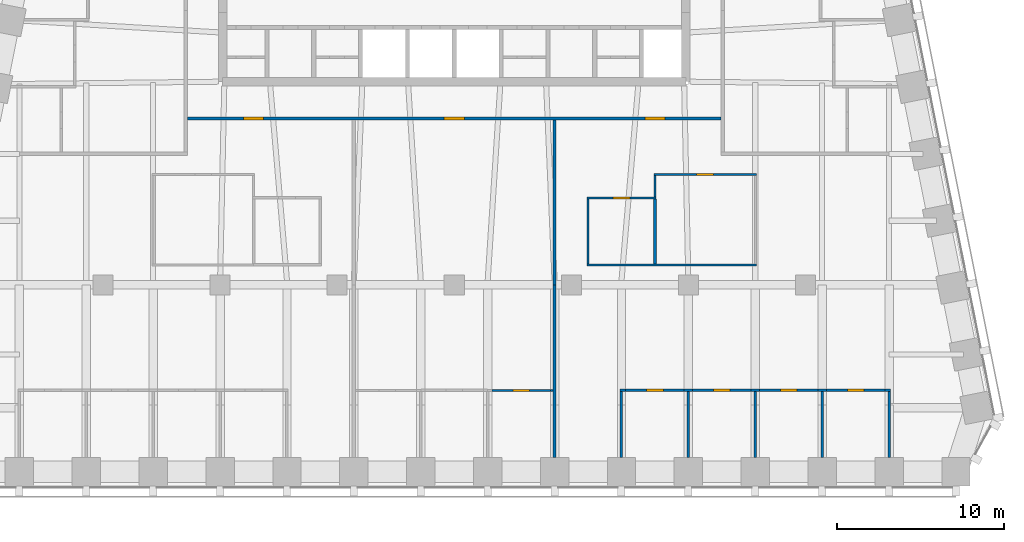
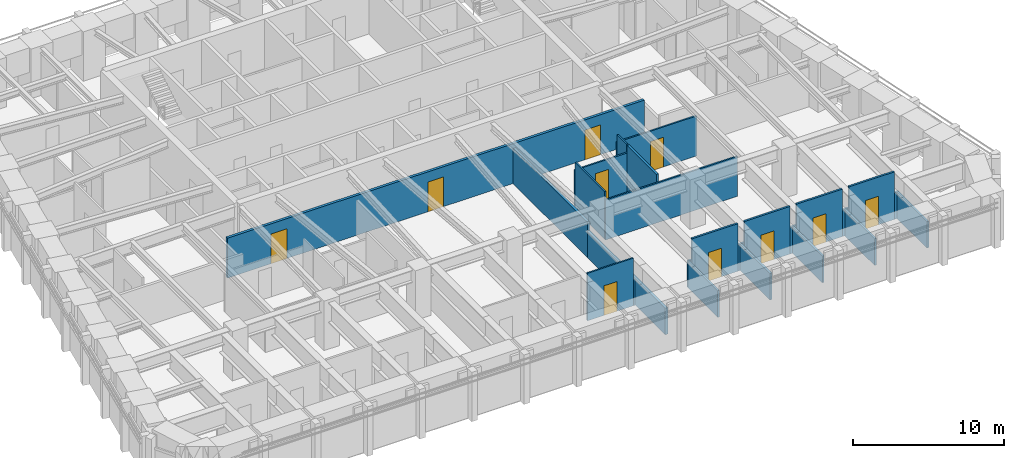
# One storey, part 7 of 12: 25 walls, 10 doors, 10 openings.
"""IFC4 building model written with IfcOpenShell, lengths in metres."""

from ifc_helpers import new_model, si_unit, direction, frame, frame_2d, origin, place, context, subcontext, project, spatial, rectangle, extrude, material, layer, layer_set, type_object, element, fill, save


model = new_model("IFC4")

# Units and contexts
model_context = context("Model", 3, precision=1e-05, world=origin(), true_north=direction((0.0, 1.0)))
body_context = subcontext(model_context, "Body", "Model", "MODEL_VIEW")
ifc_project = project(units=[si_unit("LENGTHUNIT", "METRE"), si_unit("AREAUNIT", "SQUARE_METRE"), si_unit("VOLUMEUNIT", "CUBIC_METRE"), si_unit("PLANEANGLEUNIT", "RADIAN"), si_unit("MASSUNIT", "GRAM", prefix="KILO")], contexts=[model_context])

# Site, building, storey
site_placement = place(None, origin())
site = spatial("IfcSite", under=ifc_project, at=site_placement, CompositionType="ELEMENT")
building_placement = place(site_placement, origin())
building = spatial("IfcBuilding", under=site, at=building_placement, Name="Isbrekke Arena Tower", CompositionType="ELEMENT")
storey_placement = place(building_placement, frame((0.0, 0.0, 256.0)))
storey = spatial("IfcBuildingStorey", under=building, at=storey_placement, Name="L59", CompositionType="ELEMENT", Elevation=256.0)

# Wall
ifc_material_1 = material(Name="Gypsum board partition on steel studs", Category="steel")
ifc_layer_1 = layer(ifc_material_1, 0.14990234375)
ifc_layer_set_1 = layer_set([ifc_layer_1], Name="IW1 PARTITION 150")
wall_type_1 = type_object("IfcWallType", Name="IW1 PARTITION 150", PredefinedType="PARTITIONING", material=ifc_layer_set_1)
wall_1_placement = place(storey_placement, frame((9.925048828125, -12.300048828125, 0.0), z_axis=(0.0, 0.0, 1.0), x_axis=(1.0, 0.0, 0.0)))
element("IfcWall", 1, at=wall_1_placement, inside=storey, type_object=wall_type_1, Name="IW1 partition 150 L59", PredefinedType="PARTITIONING", context=body_context, shape_type="SweptSolid", body=[
    extrude(rectangle(XDim=0.324951171875, YDim=0.14990234375, at=frame_2d((0.16259765625, 0.0))), origin(), (0.0, 0.0, 1.0), 2.14990234375),
])

# Wall, opening, door
wall_2_placement = place(storey_placement, frame((10.25, -12.300048828125, 0.0), z_axis=(0.0, 0.0, 1.0), x_axis=(1.0, 0.0, 0.0)))
wall_2 = element("IfcWall", 2, at=wall_2_placement, inside=storey, type_object=wall_type_1, Name="IW1 partition 150 L59", PredefinedType="PARTITIONING", context=body_context, shape_type="SweptSolid", body=[
    extrude(rectangle(XDim=3.5, YDim=0.14990234375, at=frame_2d((1.75, 0.0))), origin(), (0.0, 0.0, 1.0), 3.85009765625),
])
opening_1_placement = place(wall_2_placement, frame((1.25, 0.0, 0.0)))
opening_1 = element("IfcOpeningElement", 3, at=opening_1_placement, cuts=wall_2, Name="Opening D10", PredefinedType="OPENING", context=body_context, shape_type="SweptSolid", body=[
    extrude(rectangle(XDim=1.0, YDim=2.300048828125, at=frame_2d((0.5, 1.14990234375))), frame((0.0, 0.08984375, 0.0), z_axis=(0.0, -1.0, 0.0), x_axis=(1.0, 0.0, 0.0)), (0.0, 0.0, 1.0), 0.1796875),
])
ifc_material_2 = material(Name="Timber door", Category="wood")
door_type_1 = type_object("IfcDoorType", Name="D10 OFFICE DOOR 1000 x 2300", OperationType="SINGLE_SWING_LEFT", PredefinedType="DOOR", material=ifc_material_2)
door_1_placement = place(opening_1_placement, origin())
door_1 = element("IfcDoor", 4, at=door_1_placement, inside=storey, type_object=door_type_1, Name="D10 office door L59", OperationType="SINGLE_SWING_LEFT", OverallHeight=2.300048828125, OverallWidth=1.0, PredefinedType="DOOR", context=body_context, shape_type="SweptSolid", body=[
    extrude(rectangle(XDim=1.0, YDim=2.300048828125, at=frame_2d((0.5, 1.14990234375))), frame((0.0, 0.07470703125, 0.0), z_axis=(0.0, -1.0, 0.0), x_axis=(1.0, 0.0, 0.0)), (0.0, 0.0, 1.0), 0.1494140625),
])
fill(opening_1, door_1)

# Wall
wall_3_placement = place(storey_placement, frame((13.75, -12.300048828125, 0.0), z_axis=(0.0, 0.0, 1.0), x_axis=(1.0, 0.0, 0.0)))
element("IfcWall", 5, at=wall_3_placement, inside=storey, type_object=wall_type_1, Name="IW1 partition 150 L59", PredefinedType="PARTITIONING", context=body_context, shape_type="SweptSolid", body=[
    extrude(rectangle(XDim=0.5, YDim=0.14990234375, at=frame_2d((0.25, 0.0))), origin(), (0.0, 0.0, 1.0), 2.14990234375),
])

# Wall, opening, door
wall_4_placement = place(storey_placement, frame((14.25, -12.300048828125, 0.0), z_axis=(0.0, 0.0, 1.0), x_axis=(1.0, 0.0, 0.0)))
wall_4 = element("IfcWall", 6, at=wall_4_placement, inside=storey, type_object=wall_type_1, Name="IW1 partition 150 L59", PredefinedType="PARTITIONING", context=body_context, shape_type="SweptSolid", body=[
    extrude(rectangle(XDim=3.5, YDim=0.14990234375, at=frame_2d((1.75, 0.0))), origin(), (0.0, 0.0, 1.0), 3.85009765625),
])
opening_2_placement = place(wall_4_placement, frame((1.25, 0.0, 0.0)))
opening_2 = element("IfcOpeningElement", 7, at=opening_2_placement, cuts=wall_4, Name="Opening D10", PredefinedType="OPENING", context=body_context, shape_type="SweptSolid", body=[
    extrude(rectangle(XDim=1.0, YDim=2.300048828125, at=frame_2d((0.5, 1.14990234375))), frame((0.0, 0.08984375, 0.0), z_axis=(0.0, -1.0, 0.0), x_axis=(1.0, 0.0, 0.0)), (0.0, 0.0, 1.0), 0.1796875),
])
door_2_placement = place(opening_2_placement, origin())
door_2 = element("IfcDoor", 8, at=door_2_placement, inside=storey, type_object=door_type_1, Name="D10 office door L59", OperationType="SINGLE_SWING_LEFT", OverallHeight=2.300048828125, OverallWidth=1.0, PredefinedType="DOOR", context=body_context, shape_type="SweptSolid", body=[
    extrude(rectangle(XDim=1.0, YDim=2.300048828125, at=frame_2d((0.5, 1.14990234375))), frame((0.0, 0.07470703125, 0.0), z_axis=(0.0, -1.0, 0.0), x_axis=(1.0, 0.0, 0.0)), (0.0, 0.0, 1.0), 0.1494140625),
])
fill(opening_2, door_2)

# Wall
wall_5_placement = place(storey_placement, frame((17.75, -12.300048828125, 0.0), z_axis=(0.0, 0.0, 1.0), x_axis=(1.0, 0.0, 0.0)))
element("IfcWall", 9, at=wall_5_placement, inside=storey, type_object=wall_type_1, Name="IW1 partition 150 L59", PredefinedType="PARTITIONING", context=body_context, shape_type="SweptSolid", body=[
    extrude(rectangle(XDim=0.5, YDim=0.14990234375, at=frame_2d((0.25, 0.0))), origin(), (0.0, 0.0, 1.0), 2.14990234375),
])

# Wall, opening, door
wall_6_placement = place(storey_placement, frame((18.25, -12.300048828125, 0.0), z_axis=(0.0, 0.0, 1.0), x_axis=(1.0, 0.0, 0.0)))
wall_6 = element("IfcWall", 10, at=wall_6_placement, inside=storey, type_object=wall_type_1, Name="IW1 partition 150 L59", PredefinedType="PARTITIONING", context=body_context, shape_type="SweptSolid", body=[
    extrude(rectangle(XDim=3.5, YDim=0.14990234375, at=frame_2d((1.75, 0.0))), origin(), (0.0, 0.0, 1.0), 3.85009765625),
])
opening_3_placement = place(wall_6_placement, frame((1.25, 0.0, 0.0)))
opening_3 = element("IfcOpeningElement", 11, at=opening_3_placement, cuts=wall_6, Name="Opening D10", PredefinedType="OPENING", context=body_context, shape_type="SweptSolid", body=[
    extrude(rectangle(XDim=1.0, YDim=2.300048828125, at=frame_2d((0.5, 1.14990234375))), frame((0.0, 0.08984375, 0.0), z_axis=(0.0, -1.0, 0.0), x_axis=(1.0, 0.0, 0.0)), (0.0, 0.0, 1.0), 0.1796875),
])
door_3_placement = place(opening_3_placement, origin())
door_3 = element("IfcDoor", 12, at=door_3_placement, inside=storey, type_object=door_type_1, Name="D10 office door L59", OperationType="SINGLE_SWING_LEFT", OverallHeight=2.300048828125, OverallWidth=1.0, PredefinedType="DOOR", context=body_context, shape_type="SweptSolid", body=[
    extrude(rectangle(XDim=1.0, YDim=2.300048828125, at=frame_2d((0.5, 1.14990234375))), frame((0.0, 0.07470703125, 0.0), z_axis=(0.0, -1.0, 0.0), x_axis=(1.0, 0.0, 0.0)), (0.0, 0.0, 1.0), 0.1494140625),
])
fill(opening_3, door_3)

# Wall
wall_7_placement = place(storey_placement, frame((21.75, -12.300048828125, 0.0), z_axis=(0.0, 0.0, 1.0), x_axis=(1.0, 0.0, 0.0)))
element("IfcWall", 13, at=wall_7_placement, inside=storey, type_object=wall_type_1, Name="IW1 partition 150 L59", PredefinedType="PARTITIONING", context=body_context, shape_type="SweptSolid", body=[
    extrude(rectangle(XDim=0.5, YDim=0.14990234375, at=frame_2d((0.25, 0.0))), origin(), (0.0, 0.0, 1.0), 2.14990234375),
])

# Wall, opening, door
wall_8_placement = place(storey_placement, frame((22.25, -12.300048828125, 0.0), z_axis=(0.0, 0.0, 1.0), x_axis=(1.0, 0.0, 0.0)))
wall_8 = element("IfcWall", 14, at=wall_8_placement, inside=storey, type_object=wall_type_1, Name="IW1 partition 150 L59", PredefinedType="PARTITIONING", context=body_context, shape_type="SweptSolid", body=[
    extrude(rectangle(XDim=3.5, YDim=0.14990234375, at=frame_2d((1.75, 0.0))), origin(), (0.0, 0.0, 1.0), 3.85009765625),
])
opening_4_placement = place(wall_8_placement, frame((1.25, 0.0, 0.0)))
opening_4 = element("IfcOpeningElement", 15, at=opening_4_placement, cuts=wall_8, Name="Opening D10", PredefinedType="OPENING", context=body_context, shape_type="SweptSolid", body=[
    extrude(rectangle(XDim=1.0, YDim=2.300048828125, at=frame_2d((0.5, 1.14990234375))), frame((0.0, 0.08984375, 0.0), z_axis=(0.0, -1.0, 0.0), x_axis=(1.0, 0.0, 0.0)), (0.0, 0.0, 1.0), 0.1796875),
])
door_4_placement = place(opening_4_placement, origin())
door_4 = element("IfcDoor", 16, at=door_4_placement, inside=storey, type_object=door_type_1, Name="D10 office door L59", OperationType="SINGLE_SWING_LEFT", OverallHeight=2.300048828125, OverallWidth=1.0, PredefinedType="DOOR", context=body_context, shape_type="SweptSolid", body=[
    extrude(rectangle(XDim=1.0, YDim=2.300048828125, at=frame_2d((0.5, 1.14990234375))), frame((0.0, 0.07470703125, 0.0), z_axis=(0.0, -1.0, 0.0), x_axis=(1.0, 0.0, 0.0)), (0.0, 0.0, 1.0), 0.1494140625),
])
fill(opening_4, door_4)

# Walls
wall_9_placement = place(storey_placement, frame((25.75, -12.300048828125, 0.0), z_axis=(0.0, 0.0, 1.0), x_axis=(1.0, 0.0, 0.0)))
element("IfcWall", 17, at=wall_9_placement, inside=storey, type_object=wall_type_1, Name="IW1 partition 150 L59", PredefinedType="PARTITIONING", context=body_context, shape_type="SweptSolid", body=[
    extrude(rectangle(XDim=0.324951171875, YDim=0.14990234375, at=frame_2d((0.16259765625, 0.0))), origin(), (0.0, 0.0, 1.0), 2.14990234375),
])
for number, where, z_axis, x_axis, name in (
    (18, (10.0, -16.324951171875, 0.0), (0.0, 0.0, 1.0), (0.0, 1.0, 0.0), "IW1 partition 150 L59"),
    (19, (14.0, -16.324951171875, 0.0), (0.0, 0.0, 1.0), (0.0, 1.0, 0.0), "IW1 partition 150 L59"),
    (20, (18.0, -16.324951171875, 0.0), (0.0, 0.0, 1.0), (0.0, 1.0, 0.0), "IW1 partition 150 L59"),
    (21, (22.0, -16.324951171875, 0.0), (0.0, 0.0, 1.0), (0.0, 1.0, 0.0), "IW1 partition 150 L59"),
    (22, (26.0, -16.324951171875, 0.0), (0.0, 0.0, 1.0), (0.0, 1.0, 0.0), "IW1 partition 150 L59"),
):
    element("IfcWall", number, at=place(storey_placement, frame(where, z_axis=z_axis, x_axis=x_axis)), inside=storey, type_object=wall_type_1, Name=name, PredefinedType="PARTITIONING", context=body_context, shape_type="SweptSolid", body=[
        extrude(rectangle(XDim=3.949951171875, YDim=0.14990234375, at=frame_2d((1.97509765625, 0.0))), origin(), (0.0, 0.0, 1.0), 2.14990234375),
    ])

# Wall, opening, door
ifc_material_3 = material(Name="Frameless glazed partition, laminated acoustic glass", Category="glass")
ifc_layer_2 = layer(ifc_material_3, 0.1201171875)
ifc_layer_set_2 = layer_set([ifc_layer_2], Name="IW2 GLAZED PARTITION 120")
wall_type_2 = type_object("IfcWallType", Name="IW2 GLAZED PARTITION 120", PredefinedType="PARTITIONING", material=ifc_layer_set_2)
wall_10_placement = place(storey_placement, frame((2.25, -12.300048828125, 0.0), z_axis=(0.0, 0.0, 1.0), x_axis=(1.0, 0.0, 0.0)))
wall_10 = element("IfcWall", 23, at=wall_10_placement, inside=storey, type_object=wall_type_2, Name="IW2 glazed partition 120 L59", PredefinedType="PARTITIONING", context=body_context, shape_type="SweptSolid", body=[
    extrude(rectangle(XDim=3.5, YDim=0.1201171875, at=frame_2d((1.75, 0.0))), origin(), (0.0, 0.0, 1.0), 3.85009765625),
])
opening_5_placement = place(wall_10_placement, frame((1.25, 0.0, 0.0)))
opening_5 = element("IfcOpeningElement", 24, at=opening_5_placement, cuts=wall_10, Name="Opening D11", PredefinedType="OPENING", context=body_context, shape_type="SweptSolid", body=[
    extrude(rectangle(XDim=1.0, YDim=2.39990234375, at=frame_2d((0.5, 1.199951171875))), frame((0.0, 0.074951171875, 0.0), z_axis=(0.0, -1.0, 0.0), x_axis=(1.0, 0.0, 0.0)), (0.0, 0.0, 1.0), 0.14990234375),
])
ifc_material_4 = material(Name="Frameless glazed door", Category="glass")
door_type_2 = type_object("IfcDoorType", Name="D11 GLAZED MEETING ROOM DOOR 1000 x 2400", OperationType="SINGLE_SWING_RIGHT", PredefinedType="DOOR", material=ifc_material_4)
door_5_placement = place(opening_5_placement, origin())
door_5 = element("IfcDoor", 25, at=door_5_placement, inside=storey, type_object=door_type_2, Name="D11 meeting room door L59", OperationType="SINGLE_SWING_RIGHT", OverallHeight=2.39990234375, OverallWidth=1.0, PredefinedType="DOOR", context=body_context, shape_type="SweptSolid", body=[
    extrude(rectangle(XDim=1.0, YDim=2.39990234375, at=frame_2d((0.5, 1.199951171875))), frame((0.0, 0.059814453125, 0.0), z_axis=(0.0, -1.0, 0.0), x_axis=(1.0, 0.0, 0.0)), (0.0, 0.0, 1.0), 0.11962890625),
])
fill(opening_5, door_5)

# Walls
wall_11_placement = place(storey_placement, frame((5.75, -12.300048828125, 0.0), z_axis=(0.0, 0.0, 1.0), x_axis=(1.0, 0.0, 0.0)))
element("IfcWall", 26, at=wall_11_placement, inside=storey, type_object=wall_type_2, Name="IW2 glazed partition 120 L59", PredefinedType="PARTITIONING", context=body_context, shape_type="SweptSolid", body=[
    extrude(rectangle(XDim=0.14990234375, YDim=0.1201171875, at=frame_2d((0.074951171875, 0.0))), origin(), (0.0, 0.0, 1.0), 2.14990234375),
])
wall_12_placement = place(storey_placement, frame((7.93994140625, -4.800048828125, 0.0), z_axis=(0.0, 0.0, 1.0), x_axis=(1.0, 0.0, 0.0)))
element("IfcWall", 27, at=wall_12_placement, inside=storey, type_object=wall_type_2, Name="IW2 glazed partition 120 L59", PredefinedType="PARTITIONING", context=body_context, shape_type="SweptSolid", body=[
    extrude(rectangle(XDim=10.1201171875, YDim=0.1201171875, at=frame_2d((5.06005859375, 0.0))), origin(), (0.0, 0.0, 1.0), 3.22998046875),
])

# Wall, opening, door
wall_13_placement = place(storey_placement, frame((7.93994140625, -0.800048828125, 0.0), z_axis=(0.0, 0.0, 1.0), x_axis=(1.0, 0.0, 0.0)))
wall_13 = element("IfcWall", 28, at=wall_13_placement, inside=storey, type_object=wall_type_2, Name="IW2 glazed partition 120 L59", PredefinedType="PARTITIONING", context=body_context, shape_type="SweptSolid", body=[
    extrude(rectangle(XDim=4.1201171875, YDim=0.1201171875, at=frame_2d((2.06005859375, 0.0))), origin(), (0.0, 0.0, 1.0), 3.22998046875),
])
opening_6_placement = place(wall_13_placement, frame((1.56005859375, 0.0, 0.0)))
opening_6 = element("IfcOpeningElement", 29, at=opening_6_placement, cuts=wall_13, Name="Opening D11", PredefinedType="OPENING", context=body_context, shape_type="SweptSolid", body=[
    extrude(rectangle(XDim=1.0, YDim=2.39990234375, at=frame_2d((0.5, 1.199951171875))), frame((0.0, 0.074951171875, 0.0), z_axis=(0.0, -1.0, 0.0), x_axis=(1.0, 0.0, 0.0)), (0.0, 0.0, 1.0), 0.14990234375),
])
door_6_placement = place(opening_6_placement, origin())
door_6 = element("IfcDoor", 30, at=door_6_placement, inside=storey, type_object=door_type_2, Name="D11 quiet room door L59", OperationType="SINGLE_SWING_RIGHT", OverallHeight=2.39990234375, OverallWidth=1.0, PredefinedType="DOOR", context=body_context, shape_type="SweptSolid", body=[
    extrude(rectangle(XDim=1.0, YDim=2.39990234375, at=frame_2d((0.5, 1.199951171875))), frame((0.0, 0.059814453125, 0.0), z_axis=(0.0, -1.0, 0.0), x_axis=(1.0, 0.0, 0.0)), (0.0, 0.0, 1.0), 0.11962890625),
])
fill(opening_6, door_6)

wall_14_placement = place(storey_placement, frame((11.93994140625, 0.60009765625, 0.0), z_axis=(0.0, 0.0, 1.0), x_axis=(1.0, 0.0, 0.0)))
wall_14 = element("IfcWall", 31, at=wall_14_placement, inside=storey, type_object=wall_type_2, Name="IW2 glazed partition 120 L59", PredefinedType="PARTITIONING", context=body_context, shape_type="SweptSolid", body=[
    extrude(rectangle(XDim=6.1201171875, YDim=0.1201171875, at=frame_2d((3.06005859375, 0.0))), origin(), (0.0, 0.0, 1.0), 3.22998046875),
])
opening_7_placement = place(wall_14_placement, frame((2.56005859375, 0.0, 0.0)))
opening_7 = element("IfcOpeningElement", 32, at=opening_7_placement, cuts=wall_14, Name="Opening D11", PredefinedType="OPENING", context=body_context, shape_type="SweptSolid", body=[
    extrude(rectangle(XDim=1.0, YDim=2.39990234375, at=frame_2d((0.5, 1.199951171875))), frame((0.0, 0.074951171875, 0.0), z_axis=(0.0, -1.0, 0.0), x_axis=(1.0, 0.0, 0.0)), (0.0, 0.0, 1.0), 0.14990234375),
])
door_7_placement = place(opening_7_placement, origin())
door_7 = element("IfcDoor", 33, at=door_7_placement, inside=storey, type_object=door_type_2, Name="D11 meeting room door L59", OperationType="SINGLE_SWING_RIGHT", OverallHeight=2.39990234375, OverallWidth=1.0, PredefinedType="DOOR", context=body_context, shape_type="SweptSolid", body=[
    extrude(rectangle(XDim=1.0, YDim=2.39990234375, at=frame_2d((0.5, 1.199951171875))), frame((0.0, 0.059814453125, 0.0), z_axis=(0.0, -1.0, 0.0), x_axis=(1.0, 0.0, 0.0)), (0.0, 0.0, 1.0), 0.11962890625),
])
fill(opening_7, door_7)

# Walls
wall_15_placement = place(storey_placement, frame((8.0, -4.739990234375, 0.0), z_axis=(0.0, 0.0, 1.0), x_axis=(0.0, 1.0, 0.0)))
element("IfcWall", 34, at=wall_15_placement, inside=storey, type_object=wall_type_2, Name="IW2 glazed partition 120 L59", PredefinedType="PARTITIONING", context=body_context, shape_type="SweptSolid", body=[
    extrude(rectangle(XDim=3.8798828125, YDim=0.1201171875, at=frame_2d((1.93994140625, 0.0))), origin(), (0.0, 0.0, 1.0), 3.85009765625),
])
wall_16_placement = place(storey_placement, frame((12.0, -0.739990234375, 0.0), z_axis=(0.0, 0.0, 1.0), x_axis=(0.0, 1.0, 0.0)))
element("IfcWall", 35, at=wall_16_placement, inside=storey, type_object=wall_type_2, Name="IW2 glazed partition 120 L59", PredefinedType="PARTITIONING", context=body_context, shape_type="SweptSolid", body=[
    extrude(rectangle(XDim=1.280029296875, YDim=0.1201171875, at=frame_2d((0.64013671875, 0.0))), origin(), (0.0, 0.0, 1.0), 3.85009765625),
])

# Wall, openings, doors
ifc_material_5 = material(Name="Gypsum board fire-cell wall on steel studs, two layers each side", Category="steel")
ifc_layer_3 = layer(ifc_material_5, 0.199951171875)
ifc_layer_set_3 = layer_set([ifc_layer_3], Name="IW3 FIRE-CELL WALL 200")
wall_type_3 = type_object("IfcWallType", Name="IW3 FIRE-CELL WALL 200", PredefinedType="PARTITIONING", material=ifc_layer_set_3)
wall_17_placement = place(storey_placement, frame((-15.949951171875, 3.949951171875, 0.0), z_axis=(0.0, 0.0, 1.0), x_axis=(1.0, 0.0, 0.0)))
wall_17 = element("IfcWall", 36, at=wall_17_placement, inside=storey, type_object=wall_type_3, Name="IW3 fire-cell wall 200 L59", PredefinedType="PARTITIONING", context=body_context, shape_type="SweptSolid", body=[
    extrude(rectangle(XDim=31.89990234375, YDim=0.199951171875, at=frame_2d((15.949951171875, 0.0))), origin(), (0.0, 0.0, 1.0), 3.22998046875),
])
opening_8_placement = place(wall_17_placement, frame((3.35009765625, 0.0, 0.0)))
opening_8 = element("IfcOpeningElement", 37, at=opening_8_placement, cuts=wall_17, Name="Opening D12", PredefinedType="OPENING", context=body_context, shape_type="SweptSolid", body=[
    extrude(rectangle(XDim=1.199951171875, YDim=2.39990234375, at=frame_2d((0.60009765625, 1.199951171875))), frame((0.0, 0.11474609375, 0.0), z_axis=(0.0, -1.0, 0.0), x_axis=(1.0, 0.0, 0.0)), (0.0, 0.0, 1.0), 0.229736328125),
])
opening_9_placement = place(wall_17_placement, frame((27.35009765625, 0.0, 0.0)))
opening_9 = element("IfcOpeningElement", 38, at=opening_9_placement, cuts=wall_17, Name="Opening D12", PredefinedType="OPENING", context=body_context, shape_type="SweptSolid", body=[
    extrude(rectangle(XDim=1.199951171875, YDim=2.39990234375, at=frame_2d((0.60009765625, 1.199951171875))), frame((0.0, 0.11474609375, 0.0), z_axis=(0.0, -1.0, 0.0), x_axis=(1.0, 0.0, 0.0)), (0.0, 0.0, 1.0), 0.229736328125),
])
opening_10_placement = place(wall_17_placement, frame((15.35009765625, 0.0, 0.0)))
opening_10 = element("IfcOpeningElement", 39, at=opening_10_placement, cuts=wall_17, Name="Opening D12", PredefinedType="OPENING", context=body_context, shape_type="SweptSolid", body=[
    extrude(rectangle(XDim=1.199951171875, YDim=2.39990234375, at=frame_2d((0.60009765625, 1.199951171875))), frame((0.0, 0.11474609375, 0.0), z_axis=(0.0, -1.0, 0.0), x_axis=(1.0, 0.0, 0.0)), (0.0, 0.0, 1.0), 0.229736328125),
])
ifc_material_6 = material(Name="Timber fire door with vision panel", Category="wood")
door_type_3 = type_object("IfcDoorType", Name="D12 SUITE ENTRANCE DOOR 1200 x 2400", OperationType="SINGLE_SWING_LEFT", PredefinedType="DOOR", material=ifc_material_6)
door_8_placement = place(opening_8_placement, origin())
door_8 = element("IfcDoor", 40, at=door_8_placement, inside=storey, type_object=door_type_3, Name="D12 suite entrance SW door L59", OperationType="SINGLE_SWING_LEFT", OverallHeight=2.39990234375, OverallWidth=1.199951171875, PredefinedType="DOOR", context=body_context, shape_type="SweptSolid", body=[
    extrude(rectangle(XDim=1.199951171875, YDim=2.39990234375, at=frame_2d((0.60009765625, 1.199951171875))), frame((0.0, 0.099609375, 0.0), z_axis=(0.0, -1.0, 0.0), x_axis=(1.0, 0.0, 0.0)), (0.0, 0.0, 1.0), 0.199462890625),
])
fill(opening_8, door_8)
door_9_placement = place(opening_9_placement, origin())
door_9 = element("IfcDoor", 41, at=door_9_placement, inside=storey, type_object=door_type_3, Name="D12 suite entrance SE door L59", OperationType="SINGLE_SWING_LEFT", OverallHeight=2.39990234375, OverallWidth=1.199951171875, PredefinedType="DOOR", context=body_context, shape_type="SweptSolid", body=[
    extrude(rectangle(XDim=1.199951171875, YDim=2.39990234375, at=frame_2d((0.60009765625, 1.199951171875))), frame((0.0, 0.099609375, 0.0), z_axis=(0.0, -1.0, 0.0), x_axis=(1.0, 0.0, 0.0)), (0.0, 0.0, 1.0), 0.199462890625),
])
fill(opening_9, door_9)
door_10_placement = place(opening_10_placement, origin())
door_10 = element("IfcDoor", 42, at=door_10_placement, inside=storey, type_object=door_type_3, Name="D12 suite entrance S door L59", OperationType="SINGLE_SWING_LEFT", OverallHeight=2.39990234375, OverallWidth=1.199951171875, PredefinedType="DOOR", context=body_context, shape_type="SweptSolid", body=[
    extrude(rectangle(XDim=1.199951171875, YDim=2.39990234375, at=frame_2d((0.60009765625, 1.199951171875))), frame((0.0, 0.099609375, 0.0), z_axis=(0.0, -1.0, 0.0), x_axis=(1.0, 0.0, 0.0)), (0.0, 0.0, 1.0), 0.199462890625),
])
fill(opening_10, door_10)

# Walls
wall_18_placement = place(storey_placement, frame((6.0, -16.324951171875, 0.0), z_axis=(0.0, 0.0, 1.0), x_axis=(0.0, 1.0, 0.0)))
element("IfcWall", 43, at=wall_18_placement, inside=storey, type_object=wall_type_3, Name="IW3 fire-cell wall 200 L59", PredefinedType="PARTITIONING", context=body_context, shape_type="SweptSolid", body=[
    extrude(rectangle(XDim=10.324951171875, YDim=0.199951171875, at=frame_2d((5.16259765625, 0.0))), origin(), (0.0, 0.0, 1.0), 2.14990234375),
])
wall_19_placement = place(storey_placement, frame((6.0, -6.0, 0.0), z_axis=(0.0, 0.0, 1.0), x_axis=(0.0, 1.0, 0.0)))
element("IfcWall", 44, at=wall_19_placement, inside=storey, type_object=wall_type_3, Name="IW3 fire-cell wall 200 L59", PredefinedType="PARTITIONING", context=body_context, shape_type="SweptSolid", body=[
    extrude(rectangle(XDim=9.85009765625, YDim=0.199951171875, at=frame_2d((4.925048828125, 0.0))), origin(), (0.0, 0.0, 1.0), 2.85009765625),
])
ifc_material_7 = material(Name="Gypsum board acoustic partition on twin steel studs", Category="steel")
ifc_layer_4 = layer(ifc_material_7, 0.175048828125)
ifc_layer_set_4 = layer_set([ifc_layer_4], Name="IW4 ACOUSTIC PARTITION 175")
wall_type_4 = type_object("IfcWallType", Name="IW4 ACOUSTIC PARTITION 175", PredefinedType="PARTITIONING", material=ifc_layer_set_4)
wall_20_placement = place(storey_placement, frame((12.0, -4.739990234375, 0.0), z_axis=(0.0, 0.0, 1.0), x_axis=(0.0, 1.0, 0.0)))
element("IfcWall", 45, at=wall_20_placement, inside=storey, type_object=wall_type_4, Name="IW4 acoustic partition 175 L59", PredefinedType="PARTITIONING", context=body_context, shape_type="SweptSolid", body=[
    extrude(rectangle(XDim=3.8798828125, YDim=0.175048828125, at=frame_2d((1.93994140625, 0.0))), origin(), (0.0, 0.0, 1.0), 3.85009765625),
])

save(model, "model.ifc")
